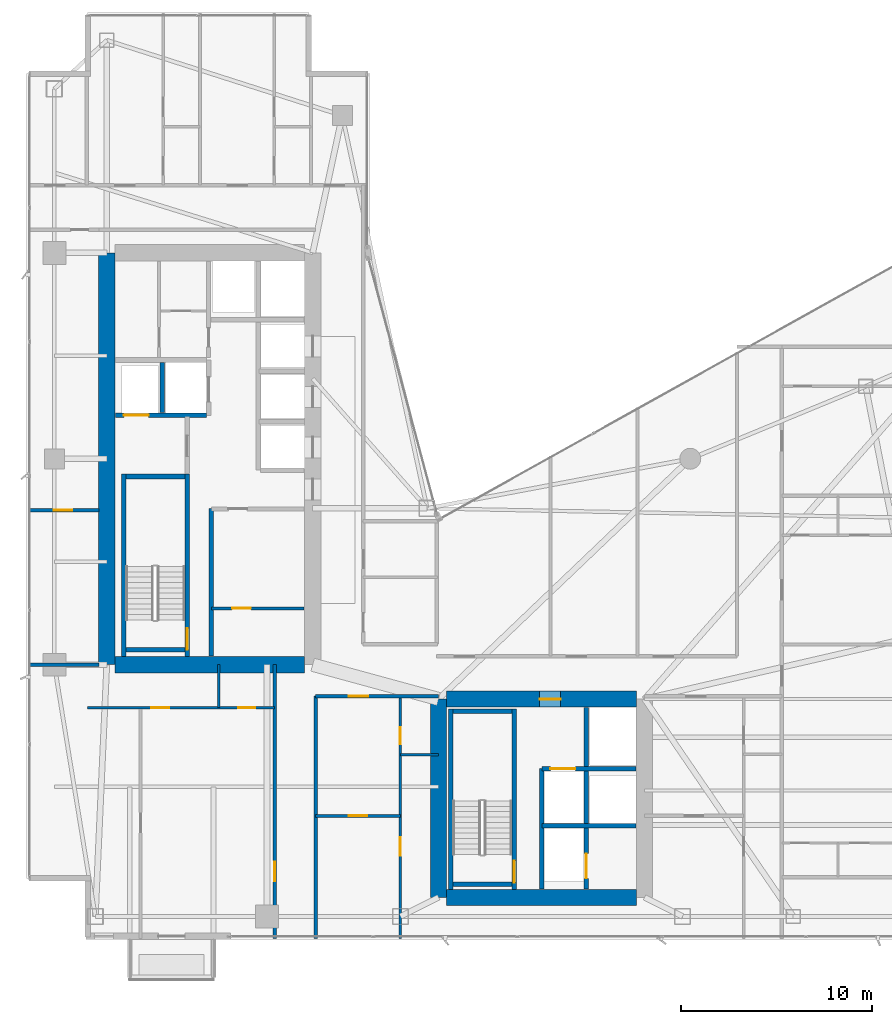
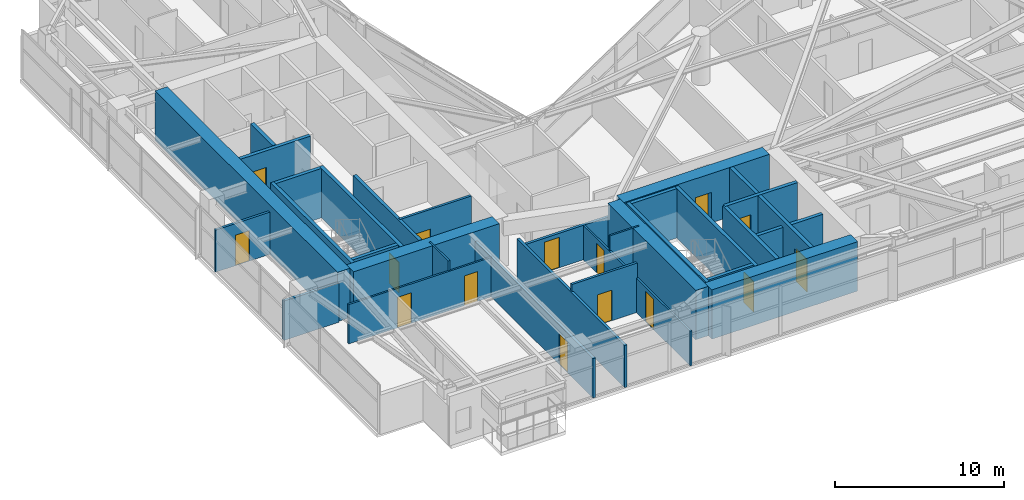
# One storey, part 22 of 28: 31 walls, 15 doors, 15 openings.
"""IFC4 building model written with IfcOpenShell, lengths in metres."""

import ifcopenshell
import ifcopenshell.guid

model = None  # the IFC model being written
_history = None  # IfcOwnerHistory: only IFC2X3 demands one
_inside = {}  # id of a spatial element -> (the spatial element, [elements in it])
_under = {}  # id of a project, library or spatial element -> (it, [spatial elements below it])
_declared = {}  # id of a project -> (the project, [libraries it declares])
_typed = {}  # id of a type object -> (the type object, [elements of that type])
_made_of = {}  # id of a material, layer set ... -> (it, [elements and type objects made of it])


def new_model(schema):
    """Start an empty IFC model of exactly this schema.

    Asked for "IFC4X3", IfcOpenShell would pick the latest addendum, in which some entities
    have other attributes; the version numbers below select the first issue.
    IFC2X3 requires an IfcOwnerHistory on every rooted entity: one is made here for all.
    """
    global model, _history
    if schema == "IFC4X3":
        model = ifcopenshell.file(schema_version=(4, 3, 0, 0))
    else:
        model = ifcopenshell.file(schema=schema)
    _inside.clear()
    _under.clear()
    _declared.clear()
    _typed.clear()
    _made_of.clear()
    _history = None
    if model.schema == "IFC2X3":
        org = make("IfcOrganization", Name="unknown")
        user = make(
            "IfcPersonAndOrganization",
            ThePerson=make("IfcPerson", FamilyName="unknown"),
            TheOrganization=org,
        )
        app = make(
            "IfcApplication",
            ApplicationDeveloper=org,
            Version="unknown",
            ApplicationFullName="unknown",
            ApplicationIdentifier="unknown",
        )
        _history = make(
            "IfcOwnerHistory",
            OwningUser=user,
            OwningApplication=app,
            ChangeAction="ADDED",
            CreationDate=0,
        )
    return model


def make(cls, **values):
    """One entity of the class cls with the attributes given. An attribute that is None is left unset."""
    return model.create_entity(
        cls, **{name: value for name, value in values.items() if value is not None}
    )


def rooted(cls, **values):
    """An entity with a GlobalId (a new one), such as an element, a storey or a relation."""
    return make(cls, GlobalId=ifcopenshell.guid.new(), OwnerHistory=_history, **values)


def si_unit(unit_type, name, prefix=None):
    """IfcSIUnit, for example si_unit("LENGTHUNIT", "METRE", prefix="MILLI")."""
    return make("IfcSIUnit", UnitType=unit_type, Prefix=prefix, Name=name)


def assignment(units):
    """IfcUnitAssignment: the units of a project."""
    return None if units is None else make("IfcUnitAssignment", Units=units)


def point(xyz):
    """IfcCartesianPoint."""
    return None if xyz is None else make("IfcCartesianPoint", Coordinates=xyz)


def direction(xyz):
    """IfcDirection."""
    return None if xyz is None else make("IfcDirection", DirectionRatios=xyz)


def frame(location, z_axis=None, x_axis=None):
    """IfcAxis2Placement3D, a coordinate frame: its origin and axes. An axis left out is left unset."""
    return make(
        "IfcAxis2Placement3D",
        Location=point(location),
        Axis=direction(z_axis),
        RefDirection=direction(x_axis),
    )


def frame_2d(location, x_axis=None):
    """IfcAxis2Placement2D, a coordinate frame in the plane: its origin and x axis."""
    return make(
        "IfcAxis2Placement2D", Location=point(location), RefDirection=direction(x_axis)
    )


def origin():
    """The frame at (0, 0, 0) with its axes left unset."""
    return frame((0.0, 0.0, 0.0))


def place(relative_to, where):
    """IfcLocalPlacement: puts the frame where relative to a parent placement (None: the world)."""
    return make(
        "IfcLocalPlacement", PlacementRelTo=relative_to, RelativePlacement=where
    )


def context(
    kind, dimensions, precision=None, world=None, true_north=None, identifier=None
):
    """IfcGeometricRepresentationContext, for example the 3D "Model" context."""
    return make(
        "IfcGeometricRepresentationContext",
        ContextIdentifier=identifier,
        ContextType=kind,
        CoordinateSpaceDimension=dimensions,
        Precision=precision,
        WorldCoordinateSystem=world,
        TrueNorth=true_north,
    )


def subcontext(parent, identifier, kind, view, scale=None):
    """IfcGeometricRepresentationSubContext, for example "Body" below "Model"."""
    return make(
        "IfcGeometricRepresentationSubContext",
        ContextIdentifier=identifier,
        ContextType=kind,
        ParentContext=parent,
        TargetScale=scale,
        TargetView=view,
    )


def project(units=None, contexts=None):
    """IfcProject with its units and contexts."""
    return rooted(
        "IfcProject",
        Name="project",
        RepresentationContexts=contexts,
        UnitsInContext=assignment(units),
    )


def spatial(cls, under=None, at=None, **own):
    """A site, building, storey or space (cls), placed at a placement, below another one or the project."""
    s = rooted(cls, ObjectPlacement=at, **own)
    if under is not None:
        _under.setdefault(under.id(), (under, []))[1].append(s)
    return s


def profile(cls, at=None, kind="AREA", **sizes):
    """A parametric profile (cls). Its sizes go by their IFC names, for example OverallWidth=200.0."""
    return make(cls, ProfileType=kind, Position=at, **sizes)


def rectangle(**sizes):
    """IfcRectangleProfileDef."""
    return profile("IfcRectangleProfileDef", **sizes)


def extrude(swept, where, along, depth):
    """IfcExtrudedAreaSolid: the profile swept, set in the frame where, extruded along a direction by depth."""
    return make(
        "IfcExtrudedAreaSolid",
        SweptArea=swept,
        Position=where,
        ExtrudedDirection=direction(along),
        Depth=depth,
    )


def shape(context_of_items, identifier, shape_type, items):
    """IfcShapeRepresentation: the items that make up one representation, for example the "Body"."""
    return make(
        "IfcShapeRepresentation",
        ContextOfItems=context_of_items,
        RepresentationIdentifier=identifier,
        RepresentationType=shape_type,
        Items=items,
    )


def material(Name=None, Category=None):
    """IfcMaterial."""
    return make("IfcMaterial", Name=Name, Category=Category)


def layer(
    of_material, thickness, ventilated=None, Name=None, Category=None, Priority=None
):
    """IfcMaterialLayer: one layer of a wall or slab, of a material (None: an air gap)."""
    return make(
        "IfcMaterialLayer",
        Material=of_material,
        LayerThickness=thickness,
        IsVentilated=ventilated,
        Name=Name,
        Category=Category,
        Priority=Priority,
    )


def layer_set(layers, Name=None):
    """IfcMaterialLayerSet."""
    return make("IfcMaterialLayerSet", MaterialLayers=layers, LayerSetName=Name)


def made_of(thing, what):
    """Note that an element or type object is made of a material, layer set ...; save() writes the relation."""
    if what is not None:
        _made_of.setdefault(what.id(), (what, []))[1].append(thing)
    return thing


def type_object(cls, material=None, **own):
    """A type object (cls), such as IfcWallType, which elements share."""
    return made_of(rooted(cls, **own), material)


def element(
    cls,
    number,
    at=None,
    inside=None,
    cuts=None,
    type_object=None,
    material=None,
    context=None,
    identifier="Body",
    shape_type=None,
    held_by="IfcProductDefinitionShape",
    body=None,
    shapes=None,
    **own,
):
    """One element of the class cls, such as IfcWall. Its Tag is "e" and its number.

    at: its placement. inside: the storey or other place that contains it. cuts: it is an
    opening in that element (IfcRelVoidsElement). A single representation is given by context,
    identifier, shape_type and body (its items); several are given by shapes. held_by: the class
    of the entity that holds the representations. save() writes the other relations.
    """
    e = rooted(cls, Tag="e%d" % number, ObjectPlacement=at, **own)
    if body is not None:
        shapes = [shape(context, identifier, shape_type, body)]
    if shapes is not None:
        e.Representation = make(held_by, Representations=shapes)
    if inside is not None:
        _inside.setdefault(inside.id(), (inside, []))[1].append(e)
    if cuts is not None:
        rooted(
            "IfcRelVoidsElement", RelatingBuildingElement=cuts, RelatedOpeningElement=e
        )
    if type_object is not None:
        _typed.setdefault(type_object.id(), (type_object, []))[1].append(e)
    return made_of(e, material)


def fill(opening, filler):
    """IfcRelFillsElement: the door or window that sits in an opening."""
    return rooted(
        "IfcRelFillsElement",
        RelatingOpeningElement=opening,
        RelatedBuildingElement=filler,
    )


def aggregate(whole, parts):
    """IfcRelAggregates: a whole, such as a stair, and the parts it consists of."""
    return rooted("IfcRelAggregates", RelatingObject=whole, RelatedObjects=parts)


def save(model, path):
    """Write the relations noted so far, then the file.

    IfcRelAggregates (storeys below a building ...), IfcRelContainedInSpatialStructure (elements
    in a storey), IfcRelDefinesByType, IfcRelAssociatesMaterial and IfcRelDeclares: one each for
    every whole, place, type object, material and project.
    """
    for whole, parts in _under.values():
        aggregate(whole, parts)
    for where, things in _inside.values():
        rooted(
            "IfcRelContainedInSpatialStructure",
            RelatedElements=things,
            RelatingStructure=where,
        )
    for kind, things in _typed.values():
        rooted("IfcRelDefinesByType", RelatedObjects=things, RelatingType=kind)
    for what, things in _made_of.values():
        rooted("IfcRelAssociatesMaterial", RelatedObjects=things, RelatingMaterial=what)
    for by, libraries in _declared.values():
        rooted("IfcRelDeclares", RelatingContext=by, RelatedDefinitions=libraries)
    model.write(path)


model = new_model("IFC4")

# Units and contexts
model_context = context("Model", 3, precision=1e-05, world=origin(), true_north=direction((0.0, 1.0)))
body_context = subcontext(model_context, "Body", "Model", "MODEL_VIEW")
ifc_project = project(units=[si_unit("LENGTHUNIT", "METRE"), si_unit("AREAUNIT", "SQUARE_METRE"), si_unit("VOLUMEUNIT", "CUBIC_METRE"), si_unit("PLANEANGLEUNIT", "RADIAN"), si_unit("MASSUNIT", "GRAM", prefix="KILO")], contexts=[model_context])

# Site, building, storey
site_placement = place(None, origin())
site = spatial("IfcSite", under=ifc_project, at=site_placement, CompositionType="ELEMENT")
building_placement = place(site_placement, origin())
building = spatial("IfcBuilding", under=site, at=building_placement, Name="Calvorn Quay Hotel", CompositionType="ELEMENT")
storey_placement = place(building_placement, frame((0.0, 0.0, 116.39990234375)))
storey = spatial("IfcBuildingStorey", under=building, at=storey_placement, Name="L28", CompositionType="ELEMENT", Elevation=116.39990234375)

# Walls
ifc_material_1 = material(Name="Concrete C50", Category="concrete")
ifc_layer_1 = layer(ifc_material_1, 0.85009765625)
ifc_layer_set_1 = layer_set([ifc_layer_1], Name="WL-CORE-850")
wall_type_1 = type_object("IfcWallType", Name="WL-CORE-850", PredefinedType="SHEAR", material=ifc_layer_set_1)
wall_1_placement = place(storey_placement, frame((4.199951171875, 16.800048828125, 0.0), z_axis=(0.0, 0.0, 1.0), x_axis=(0.0, 1.0, 0.0)))
element("IfcWall", 1, at=wall_1_placement, inside=storey, type_object=wall_type_1, Name="West Core Shear Wall W (L28)", PredefinedType="SHEAR", context=body_context, shape_type="SweptSolid", body=[
    extrude(rectangle(XDim=21.599853515625, YDim=0.85009765625, at=frame_2d((10.7998046875, 0.0))), origin(), (0.0, 0.0, 1.0), 3.56005859375),
])
wall_2_placement = place(storey_placement, frame((4.625, 16.800048828125, 0.0), z_axis=(0.0, 0.0, 1.0), x_axis=(1.0, 0.0, 0.0)))
element("IfcWall", 2, at=wall_2_placement, inside=storey, type_object=wall_type_1, Name="West Core Shear Wall S (L28)", PredefinedType="SHEAR", context=body_context, shape_type="SweptSolid", body=[
    extrude(rectangle(XDim=9.949951171875, YDim=0.85009765625, at=frame_2d((4.97509765625, 0.0))), origin(), (0.0, 0.0, 1.0), 3.56005859375),
])
wall_3_placement = place(storey_placement, frame((21.60009765625, 4.60009765625, 0.0), z_axis=(0.0, 0.0, 1.0), x_axis=(0.0, 1.0, 0.0)))
element("IfcWall", 3, at=wall_3_placement, inside=storey, type_object=wall_type_1, Name="East Core Shear Wall W (L28)", PredefinedType="SHEAR", context=body_context, shape_type="SweptSolid", body=[
    extrude(rectangle(XDim=10.39990234375, YDim=0.85009765625, at=frame_2d((5.199951171875, 0.0))), origin(), (0.0, 0.0, 1.0), 3.56005859375),
])

# Wall, opening, door
wall_4_placement = place(storey_placement, frame((22.02490234375, 15.0, 0.0), z_axis=(0.0, 0.0, 1.0), x_axis=(1.0, 0.0, 0.0)))
wall_4 = element("IfcWall", 4, at=wall_4_placement, inside=storey, type_object=wall_type_1, Name="East Core Shear Wall N (L28)", PredefinedType="SHEAR", context=body_context, shape_type="SweptSolid", body=[
    extrude(rectangle(XDim=9.9501953125, YDim=0.85009765625, at=frame_2d((4.97509765625, 0.0))), origin(), (0.0, 0.0, 1.0), 3.56005859375),
])
opening_1_placement = place(wall_4_placement, frame((4.8798828125, 0.0, 0.0)))
opening_1 = element("IfcOpeningElement", 5, at=opening_1_placement, cuts=wall_4, Name="Opening D-L28-FLE", PredefinedType="OPENING", context=body_context, shape_type="SweptSolid", body=[
    extrude(rectangle(XDim=1.10009765625, YDim=2.199951171875, at=frame_2d((0.550048828125, 1.10009765625))), frame((0.0, 0.43505859375, 0.0), z_axis=(0.0, -1.0, 0.0), x_axis=(1.0, 0.0, 0.0)), (0.0, 0.0, 1.0), 0.8701171875),
])
ifc_material_2 = material(Name="Smoke-Sealed Steel Class A Fire Door", Category="steel")
door_type_1 = type_object("IfcDoorType", Name="DR-FFLOBBY-1100", OperationType="NOTDEFINED", PredefinedType="DOOR", material=ifc_material_2)
door_1_placement = place(opening_1_placement, origin())
door_1 = element("IfcDoor", 6, at=door_1_placement, inside=storey, type_object=door_type_1, Name="East Firefighting Lobby Fire Door (L28)", OperationType="SINGLE_SWING_RIGHT", OverallHeight=2.199951171875, OverallWidth=1.10009765625, PredefinedType="DOOR", context=body_context, shape_type="SweptSolid", body=[
    extrude(rectangle(XDim=1.10009765625, YDim=2.199951171875, at=frame_2d((0.550048828125, 1.10009765625))), frame((0.0, 0.02490234375, 0.0), z_axis=(0.0, -1.0, 0.0), x_axis=(1.0, 0.0, 0.0)), (0.0, 0.0, 1.0), 0.050048828125),
])
fill(opening_1, door_1)

# Walls
wall_5_placement = place(storey_placement, frame((22.02490234375, 4.60009765625, 0.0), z_axis=(0.0, 0.0, 1.0), x_axis=(1.0, 0.0, 0.0)))
element("IfcWall", 7, at=wall_5_placement, inside=storey, type_object=wall_type_1, Name="East Core Shear Wall S (L28)", PredefinedType="SHEAR", context=body_context, shape_type="SweptSolid", body=[
    extrude(rectangle(XDim=9.9501953125, YDim=0.85009765625, at=frame_2d((4.97509765625, 0.0))), origin(), (0.0, 0.0, 1.0), 3.56005859375),
])
ifc_material_3 = material(Name="Acoustic Fireboard Steel-Stud Partition", Category="steel")
ifc_layer_2 = layer(ifc_material_3, 0.179931640625)
ifc_layer_set_2 = layer_set([ifc_layer_2], Name="WL-CORR-FIRE-180")
wall_type_2 = type_object("IfcWallType", Name="WL-CORR-FIRE-180", PredefinedType="PARTITIONING", material=ifc_layer_set_2)
wall_6_placement = place(storey_placement, frame((0.080078125, 16.800048828125, 0.0), z_axis=(0.0, 0.0, 1.0), x_axis=(1.0, 0.0, 0.0)))
element("IfcWall", 8, at=wall_6_placement, inside=storey, type_object=wall_type_2, Name="Partition Wall L28-WL-WBAY-S-WALL", PredefinedType="PARTITIONING", context=body_context, shape_type="SweptSolid", body=[
    extrude(rectangle(XDim=3.724853515625, YDim=0.179931640625, at=frame_2d((1.8623046875, 0.0))), origin(), (0.0, 0.0, 1.0), 2.840087890625),
])

# Wall, opening, door
wall_7_placement = place(storey_placement, frame((13.0, 2.43994140625, 0.0), z_axis=(0.0, 0.0, 1.0), x_axis=(0.0, 1.0, 0.0)))
wall_7 = element("IfcWall", 9, at=wall_7_placement, inside=storey, type_object=wall_type_2, Name="Partition Wall L28-WL-CORR-SW-LEG-W", PredefinedType="PARTITIONING", context=body_context, shape_type="SweptSolid", body=[
    extrude(rectangle(XDim=14.360107421875, YDim=0.179931640625, at=frame_2d((7.18017578125, 0.0))), origin(), (0.0, 0.0, 1.0), 2.840087890625),
])
opening_2_placement = place(wall_7_placement, frame((3.010009765625, 0.0, 0.0)))
opening_2 = element("IfcOpeningElement", 10, at=opening_2_placement, cuts=wall_7, Name="Opening D-L28-U01", PredefinedType="OPENING", context=body_context, shape_type="SweptSolid", body=[
    extrude(rectangle(XDim=1.02001953125, YDim=2.199951171875, at=frame_2d((0.510009765625, 1.10009765625))), frame((0.0, 0.099853515625, 0.0), z_axis=(0.0, -1.0, 0.0), x_axis=(1.0, 0.0, 0.0)), (0.0, 0.0, 1.0), 0.199951171875),
])
ifc_material_4 = material(Name="Solid-Core Walnut Veneer Hotel Fire Door")
door_type_2 = type_object("IfcDoorType", Name="DR-GUEST-ENTRY-1020", OperationType="NOTDEFINED", PredefinedType="DOOR", material=ifc_material_4)
door_2_placement = place(opening_2_placement, origin())
door_2 = element("IfcDoor", 11, at=door_2_placement, inside=storey, type_object=door_type_2, Name="South-West Unit Door U01 (L28)", OperationType="SINGLE_SWING_LEFT", OverallHeight=2.199951171875, OverallWidth=1.02001953125, PredefinedType="DOOR", context=body_context, shape_type="SweptSolid", body=[
    extrude(rectangle(XDim=1.02001953125, YDim=2.199951171875, at=frame_2d((0.510009765625, 1.10009765625))), frame((0.0, 0.02490234375, 0.0), z_axis=(0.0, -1.0, 0.0), x_axis=(1.0, 0.0, 0.0)), (0.0, 0.0, 1.0), 0.050048828125),
])
fill(opening_2, door_2)

# Wall
wall_8_placement = place(storey_placement, frame((15.14990234375, 2.43994140625, 0.0), z_axis=(0.0, 0.0, 1.0), x_axis=(0.0, 1.0, 0.0)))
element("IfcWall", 12, at=wall_8_placement, inside=storey, type_object=wall_type_2, Name="Partition Wall L28-WL-CORR-SW-W", PredefinedType="PARTITIONING", context=body_context, shape_type="SweptSolid", body=[
    extrude(rectangle(XDim=12.7099609375, YDim=0.179931640625, at=frame_2d((6.35498046875, 0.0))), origin(), (0.0, 0.0, 1.0), 3.0400390625),
])

# Wall, opening, door
wall_9_placement = place(storey_placement, frame((15.14990234375, 15.14990234375, 0.0), z_axis=(0.0, 0.0, 1.0), x_axis=(1.0, 0.0, 0.0)))
wall_9 = element("IfcWall", 13, at=wall_9_placement, inside=storey, type_object=wall_type_2, Name="Partition Wall L28-WL-SC-CORR-S", PredefinedType="PARTITIONING", context=body_context, shape_type="SweptSolid", body=[
    extrude(rectangle(XDim=6.4501953125, YDim=0.179931640625, at=frame_2d((3.22509765625, 0.0))), origin(), (0.0, 0.0, 1.0), 2.489990234375),
])
opening_3_placement = place(wall_9_placement, frame((1.739990234375, 0.0, 0.0)))
opening_3 = element("IfcOpeningElement", 14, at=opening_3_placement, cuts=wall_9, Name="Opening D-L28-U02", PredefinedType="OPENING", context=body_context, shape_type="SweptSolid", body=[
    extrude(rectangle(XDim=1.02001953125, YDim=2.199951171875, at=frame_2d((0.510009765625, 1.10009765625))), frame((0.0, 0.099853515625, 0.0), z_axis=(0.0, -1.0, 0.0), x_axis=(1.0, 0.0, 0.0)), (0.0, 0.0, 1.0), 0.199951171875),
])
door_3_placement = place(opening_3_placement, origin())
door_3 = element("IfcDoor", 15, at=door_3_placement, inside=storey, type_object=door_type_2, Name="Harbour Central Unit Door (L28)", OperationType="SINGLE_SWING_LEFT", OverallHeight=2.199951171875, OverallWidth=1.02001953125, PredefinedType="DOOR", context=body_context, shape_type="SweptSolid", body=[
    extrude(rectangle(XDim=1.02001953125, YDim=2.199951171875, at=frame_2d((0.510009765625, 1.10009765625))), frame((0.0, 0.02490234375, 0.0), z_axis=(0.0, -1.0, 0.0), x_axis=(1.0, 0.0, 0.0)), (0.0, 0.0, 1.0), 0.050048828125),
])
fill(opening_3, door_3)

# Wall
ifc_material_5 = material(Name="Moisture-Resistant Tile-Backed Partition")
ifc_layer_3 = layer(ifc_material_5, 0.125)
ifc_layer_set_3 = layer_set([ifc_layer_3], Name="WL-ENSUITE-125")
wall_type_3 = type_object("IfcWallType", Name="WL-ENSUITE-125", PredefinedType="PARTITIONING", material=ifc_layer_set_3)
wall_10_placement = place(storey_placement, frame((10.080078125, 14.550048828125, 0.0), z_axis=(0.0, 0.0, 1.0), x_axis=(0.0, 1.0, 0.0)))
element("IfcWall", 16, at=wall_10_placement, inside=storey, type_object=wall_type_3, Name="Partition Wall L28-WL-U01-BDV", PredefinedType="PARTITIONING", context=body_context, shape_type="SweptSolid", body=[
    extrude(rectangle(XDim=2.25, YDim=0.125, at=frame_2d((1.125, 0.0))), origin(), (0.0, 0.0, 1.0), 3.56005859375),
])

# Wall, openings, doors
wall_11_placement = place(storey_placement, frame((3.199951171875, 14.550048828125, 0.0), z_axis=(0.0, 0.0, 1.0), x_axis=(1.0, 0.0, 0.0)))
wall_11 = element("IfcWall", 17, at=wall_11_placement, inside=storey, type_object=wall_type_3, Name="Partition Wall L28-WL-U01-BH", PredefinedType="PARTITIONING", context=body_context, shape_type="SweptSolid", body=[
    extrude(rectangle(XDim=9.800048828125, YDim=0.125, at=frame_2d((4.89990234375, 0.0))), origin(), (0.0, 0.0, 1.0), 2.840087890625),
])
opening_4_placement = place(wall_11_placement, frame((3.320068359375, 0.0, 0.0)))
opening_4 = element("IfcOpeningElement", 18, at=opening_4_placement, cuts=wall_11, Name="Opening D-L28-S01", PredefinedType="OPENING", context=body_context, shape_type="SweptSolid", body=[
    extrude(rectangle(XDim=0.9599609375, YDim=2.199951171875, at=frame_2d((0.47998046875, 1.10009765625))), frame((0.0, 0.072509765625, 0.0), z_axis=(0.0, -1.0, 0.0), x_axis=(1.0, 0.0, 0.0)), (0.0, 0.0, 1.0), 0.14501953125),
])
opening_5_placement = place(wall_11_placement, frame((7.889892578125, 0.0, 0.0)))
opening_5 = element("IfcOpeningElement", 19, at=opening_5_placement, cuts=wall_11, Name="Opening D-L28-E01", PredefinedType="OPENING", context=body_context, shape_type="SweptSolid", body=[
    extrude(rectangle(XDim=0.89990234375, YDim=2.14990234375, at=frame_2d((0.449951171875, 1.074951171875))), frame((0.0, 0.072509765625, 0.0), z_axis=(0.0, -1.0, 0.0), x_axis=(1.0, 0.0, 0.0)), (0.0, 0.0, 1.0), 0.14501953125),
])
ifc_material_6 = material(Name="Moisture-Sealed Timber En-Suite Door", Category="wood")
door_type_3 = type_object("IfcDoorType", Name="DR-ENSUITE-900", OperationType="NOTDEFINED", PredefinedType="DOOR", material=ifc_material_6)
door_4_placement = place(opening_5_placement, origin())
door_4 = element("IfcDoor", 20, at=door_4_placement, inside=storey, type_object=door_type_3, Name="En-Suite Door 01", OperationType="SINGLE_SWING_RIGHT", OverallHeight=2.14990234375, OverallWidth=0.89990234375, PredefinedType="DOOR", context=body_context, shape_type="SweptSolid", body=[
    extrude(rectangle(XDim=0.89990234375, YDim=2.14990234375, at=frame_2d((0.449951171875, 1.074951171875))), frame((0.0, 0.02490234375, 0.0), z_axis=(0.0, -1.0, 0.0), x_axis=(1.0, 0.0, 0.0)), (0.0, 0.0, 1.0), 0.050048828125),
])
fill(opening_5, door_4)
ifc_material_7 = material(Name="Solid Timber Internal Suite Door", Category="wood")
door_type_4 = type_object("IfcDoorType", Name="DR-SUITE-INT-960", OperationType="NOTDEFINED", PredefinedType="DOOR", material=ifc_material_7)
door_5_placement = place(opening_4_placement, origin())
door_5 = element("IfcDoor", 21, at=door_5_placement, inside=storey, type_object=door_type_4, Name="Executive Study Door 01", OperationType="SINGLE_SWING_LEFT", OverallHeight=2.199951171875, OverallWidth=0.9599609375, PredefinedType="DOOR", context=body_context, shape_type="SweptSolid", body=[
    extrude(rectangle(XDim=0.9599609375, YDim=2.199951171875, at=frame_2d((0.47998046875, 1.10009765625))), frame((0.0, 0.02490234375, 0.0), z_axis=(0.0, -1.0, 0.0), x_axis=(1.0, 0.0, 0.0)), (0.0, 0.0, 1.0), 0.050048828125),
])
fill(opening_4, door_5)

# Wall
wall_12_placement = place(storey_placement, frame((19.60009765625, 12.070068359375, 0.0), z_axis=(0.0, 0.0, 1.0), x_axis=(1.0, 0.0, 0.0)))
element("IfcWall", 22, at=wall_12_placement, inside=storey, type_object=wall_type_3, Name="Partition Wall L28-WL-U02-BDV", PredefinedType="PARTITIONING", context=body_context, shape_type="SweptSolid", body=[
    extrude(rectangle(XDim=2.0, YDim=0.125, at=frame_2d((1.0, 0.0))), origin(), (0.0, 0.0, 1.0), 3.56005859375),
])

# Wall, openings, doors
wall_13_placement = place(storey_placement, frame((19.60009765625, 2.43994140625, 0.0), z_axis=(0.0, 0.0, 1.0), x_axis=(0.0, 1.0, 0.0)))
wall_13 = element("IfcWall", 23, at=wall_13_placement, inside=storey, type_object=wall_type_3, Name="Partition Wall L28-WL-U02-BV", PredefinedType="PARTITIONING", context=body_context, shape_type="SweptSolid", body=[
    extrude(rectangle(XDim=12.7099609375, YDim=0.125, at=frame_2d((6.35498046875, 0.0))), origin(), (0.0, 0.0, 1.0), 2.489990234375),
])
opening_6_placement = place(wall_13_placement, frame((4.340087890625, 0.0, 0.0)))
opening_6 = element("IfcOpeningElement", 24, at=opening_6_placement, cuts=wall_13, Name="Opening D-L28-S02", PredefinedType="OPENING", context=body_context, shape_type="SweptSolid", body=[
    extrude(rectangle(XDim=0.9599609375, YDim=2.199951171875, at=frame_2d((0.47998046875, 1.10009765625))), frame((0.0, 0.072509765625, 0.0), z_axis=(0.0, -1.0, 0.0), x_axis=(1.0, 0.0, 0.0)), (0.0, 0.0, 1.0), 0.14501953125),
])
opening_7_placement = place(wall_13_placement, frame((10.179931640625, 0.0, 0.0)))
opening_7 = element("IfcOpeningElement", 25, at=opening_7_placement, cuts=wall_13, Name="Opening D-L28-E02", PredefinedType="OPENING", context=body_context, shape_type="SweptSolid", body=[
    extrude(rectangle(XDim=0.89990234375, YDim=2.14990234375, at=frame_2d((0.449951171875, 1.074951171875))), frame((0.0, 0.072509765625, 0.0), z_axis=(0.0, -1.0, 0.0), x_axis=(1.0, 0.0, 0.0)), (0.0, 0.0, 1.0), 0.14501953125),
])
door_6_placement = place(opening_7_placement, origin())
door_6 = element("IfcDoor", 26, at=door_6_placement, inside=storey, type_object=door_type_3, Name="En-Suite Door 02", OperationType="SINGLE_SWING_RIGHT", OverallHeight=2.14990234375, OverallWidth=0.89990234375, PredefinedType="DOOR", context=body_context, shape_type="SweptSolid", body=[
    extrude(rectangle(XDim=0.89990234375, YDim=2.14990234375, at=frame_2d((0.449951171875, 1.074951171875))), frame((0.0, 0.02490234375, 0.0), z_axis=(0.0, -1.0, 0.0), x_axis=(1.0, 0.0, 0.0)), (0.0, 0.0, 1.0), 0.050048828125),
])
fill(opening_7, door_6)
door_7_placement = place(opening_6_placement, origin())
door_7 = element("IfcDoor", 27, at=door_7_placement, inside=storey, type_object=door_type_4, Name="Executive Study Door 02", OperationType="SINGLE_SWING_LEFT", OverallHeight=2.199951171875, OverallWidth=0.9599609375, PredefinedType="DOOR", context=body_context, shape_type="SweptSolid", body=[
    extrude(rectangle(XDim=0.9599609375, YDim=2.199951171875, at=frame_2d((0.47998046875, 1.10009765625))), frame((0.0, 0.02490234375, 0.0), z_axis=(0.0, -1.0, 0.0), x_axis=(1.0, 0.0, 0.0)), (0.0, 0.0, 1.0), 0.050048828125),
])
fill(opening_6, door_7)

# Wall, opening, door
ifc_material_8 = material(Name="Double-Stud Acoustic Gypsum Partition")
ifc_layer_4 = layer(ifc_material_8, 0.159912109375)
ifc_layer_set_4 = layer_set([ifc_layer_4], Name="WL-INTERSUITE-160")
wall_type_4 = type_object("IfcWallType", Name="WL-INTERSUITE-160", PredefinedType="PARTITIONING", material=ifc_layer_set_4)
wall_14_placement = place(storey_placement, frame((9.679931640625, 19.75, 0.0), z_axis=(0.0, 0.0, 1.0), x_axis=(1.0, 0.0, 0.0)))
wall_14 = element("IfcWall", 28, at=wall_14_placement, inside=storey, type_object=wall_type_4, Name="Partition Wall L28-WL-CWW-FR-SPLIT", PredefinedType="PARTITIONING", context=body_context, shape_type="SweptSolid", body=[
    extrude(rectangle(XDim=4.875, YDim=0.159912109375, at=frame_2d((2.4375, 0.0))), origin(), (0.0, 0.0, 1.0), 3.56005859375),
])
opening_8_placement = place(wall_14_placement, frame((1.10009765625, 0.0, 0.0)))
opening_8 = element("IfcOpeningElement", 29, at=opening_8_placement, cuts=wall_14, Name="Opening D-L28-FRL1", PredefinedType="OPENING", context=body_context, shape_type="SweptSolid", body=[
    extrude(rectangle(XDim=0.97998046875, YDim=2.14990234375, at=frame_2d((0.489990234375, 1.074951171875))), frame((0.0, 0.08984375, 0.0), z_axis=(0.0, -1.0, 0.0), x_axis=(1.0, 0.0, 0.0)), (0.0, 0.0, 1.0), 0.179931640625),
])
ifc_material_9 = material(Name="Painted Steel Housekeeping/Riser Fire Door", Category="steel")
door_type_5 = type_object("IfcDoorType", Name="DR-SERVICE-980", OperationType="NOTDEFINED", PredefinedType="DOOR", material=ifc_material_9)
door_8_placement = place(opening_8_placement, origin())
door_8 = element("IfcDoor", 30, at=door_8_placement, inside=storey, type_object=door_type_5, Name="Linen Store Room Door (L28)", OperationType="SINGLE_SWING_LEFT", OverallHeight=2.14990234375, OverallWidth=0.97998046875, PredefinedType="DOOR", context=body_context, shape_type="SweptSolid", body=[
    extrude(rectangle(XDim=0.97998046875, YDim=2.14990234375, at=frame_2d((0.489990234375, 1.074951171875))), frame((0.0, 0.02490234375, 0.0), z_axis=(0.0, -1.0, 0.0), x_axis=(1.0, 0.0, 0.0)), (0.0, 0.0, 1.0), 0.050048828125),
])
fill(opening_8, door_8)

wall_15_placement = place(storey_placement, frame((0.080078125, 24.89990234375, 0.0), z_axis=(0.0, 0.0, 1.0), x_axis=(1.0, 0.0, 0.0)))
wall_15 = element("IfcWall", 31, at=wall_15_placement, inside=storey, type_object=wall_type_4, Name="Partition Wall L28-WL-WBAY-DIV", PredefinedType="PARTITIONING", context=body_context, shape_type="SweptSolid", body=[
    extrude(rectangle(XDim=3.724853515625, YDim=0.159912109375, at=frame_2d((1.8623046875, 0.0))), origin(), (0.0, 0.0, 1.0), 3.0400390625),
])
opening_9_placement = place(wall_15_placement, frame((1.35009765625, 0.0, 0.0)))
opening_9 = element("IfcOpeningElement", 32, at=opening_9_placement, cuts=wall_15, Name="Opening D-L28-WBD", PredefinedType="OPENING", context=body_context, shape_type="SweptSolid", body=[
    extrude(rectangle(XDim=0.9599609375, YDim=2.199951171875, at=frame_2d((0.47998046875, 1.10009765625))), frame((0.0, 0.08984375, 0.0), z_axis=(0.0, -1.0, 0.0), x_axis=(1.0, 0.0, 0.0)), (0.0, 0.0, 1.0), 0.179931640625),
])
door_9_placement = place(opening_9_placement, origin())
door_9 = element("IfcDoor", 33, at=door_9_placement, inside=storey, type_object=door_type_4, Name="West Bay Connecting Door (L28)", OperationType="SINGLE_SWING_LEFT", OverallHeight=2.199951171875, OverallWidth=0.9599609375, PredefinedType="DOOR", context=body_context, shape_type="SweptSolid", body=[
    extrude(rectangle(XDim=0.9599609375, YDim=2.199951171875, at=frame_2d((0.47998046875, 1.10009765625))), frame((0.0, 0.02490234375, 0.0), z_axis=(0.0, -1.0, 0.0), x_axis=(1.0, 0.0, 0.0)), (0.0, 0.0, 1.0), 0.050048828125),
])
fill(opening_9, door_9)

wall_16_placement = place(storey_placement, frame((15.14990234375, 8.8701171875, 0.0), z_axis=(0.0, 0.0, 1.0), x_axis=(1.0, 0.0, 0.0)))
wall_16 = element("IfcWall", 34, at=wall_16_placement, inside=storey, type_object=wall_type_4, Name="Partition Wall L28-WL-U02-MSP", PredefinedType="PARTITIONING", context=body_context, shape_type="SweptSolid", body=[
    extrude(rectangle(XDim=4.4501953125, YDim=0.159912109375, at=frame_2d((2.22509765625, 0.0))), origin(), (0.0, 0.0, 1.0), 3.56005859375),
])
opening_10_placement = place(wall_16_placement, frame((1.75, 0.0, 0.0)))
opening_10 = element("IfcOpeningElement", 35, at=opening_10_placement, cuts=wall_16, Name="Opening D-L28-M02", PredefinedType="OPENING", context=body_context, shape_type="SweptSolid", body=[
    extrude(rectangle(XDim=0.9599609375, YDim=2.199951171875, at=frame_2d((0.47998046875, 1.10009765625))), frame((0.0, 0.08984375, 0.0), z_axis=(0.0, -1.0, 0.0), x_axis=(1.0, 0.0, 0.0)), (0.0, 0.0, 1.0), 0.179931640625),
])
door_10_placement = place(opening_10_placement, origin())
door_10 = element("IfcDoor", 36, at=door_10_placement, inside=storey, type_object=door_type_4, Name="Suite Bedroom Door 02", OperationType="SINGLE_SWING_LEFT", OverallHeight=2.199951171875, OverallWidth=0.9599609375, PredefinedType="DOOR", context=body_context, shape_type="SweptSolid", body=[
    extrude(rectangle(XDim=0.9599609375, YDim=2.199951171875, at=frame_2d((0.47998046875, 1.10009765625))), frame((0.0, 0.02490234375, 0.0), z_axis=(0.0, -1.0, 0.0), x_axis=(1.0, 0.0, 0.0)), (0.0, 0.0, 1.0), 0.050048828125),
])
fill(opening_10, door_10)

# Walls
ifc_material_10 = material(Name="Autoclaved Aerated Masonry Block", Category="masonry")
ifc_layer_5 = layer(ifc_material_10, 0.219970703125)
ifc_layer_set_5 = layer_set([ifc_layer_5], Name="WL-LOBBY-FIRE-220")
wall_type_5 = type_object("IfcWallType", Name="WL-LOBBY-FIRE-220", PredefinedType="SOLIDWALL", material=ifc_layer_set_5)
wall_17_placement = place(storey_placement, frame((9.679931640625, 17.2451171875, 0.0), z_axis=(0.0, 0.0, 1.0), x_axis=(0.0, 1.0, 0.0)))
element("IfcWall", 37, at=wall_17_placement, inside=storey, type_object=wall_type_5, Name="Partition Wall L28-WL-CWW-STW-HALL-E", PredefinedType="SOLIDWALL", context=body_context, shape_type="SweptSolid", body=[
    extrude(rectangle(XDim=7.7548828125, YDim=0.219970703125, at=frame_2d((3.87744140625, 0.0))), origin(), (0.0, 0.0, 1.0), 3.56005859375),
])
ifc_material_11 = material(Name="Concrete C40", Category="concrete")
ifc_layer_6 = layer(ifc_material_11, 0.239990234375)
ifc_layer_set_6 = layer_set([ifc_layer_6], Name="WL-SHAFT-240")
wall_type_6 = type_object("IfcWallType", Name="WL-SHAFT-240", PredefinedType="SOLIDWALL", material=ifc_layer_set_6)
wall_18_placement = place(storey_placement, frame((5.080078125, 17.22509765625, 0.0), z_axis=(0.0, 0.0, 1.0), x_axis=(0.0, 1.0, 0.0)))
element("IfcWall", 38, at=wall_18_placement, inside=storey, type_object=wall_type_6, Name="Stair STW Shaft Wall W (L28)", PredefinedType="SOLIDWALL", context=body_context, shape_type="SweptSolid", body=[
    extrude(rectangle(XDim=9.56494140625, YDim=0.239990234375, at=frame_2d((4.782470703125, 0.0))), origin(), (0.0, 0.0, 1.0), 3.56005859375),
])

# Wall, opening, door
wall_19_placement = place(storey_placement, frame((8.419921875, 17.22509765625, 0.0), z_axis=(0.0, 0.0, 1.0), x_axis=(0.0, 1.0, 0.0)))
wall_19 = element("IfcWall", 39, at=wall_19_placement, inside=storey, type_object=wall_type_6, Name="Stair STW Shaft Wall E (L28)", PredefinedType="SOLIDWALL", context=body_context, shape_type="SweptSolid", body=[
    extrude(rectangle(XDim=9.56494140625, YDim=0.239990234375, at=frame_2d((4.782470703125, 0.0))), origin(), (0.0, 0.0, 1.0), 3.56005859375),
])
opening_11_placement = place(wall_19_placement, frame((0.35009765625, 0.0, 0.0)))
opening_11 = element("IfcOpeningElement", 40, at=opening_11_placement, cuts=wall_19, Name="Opening D-L28-STW", PredefinedType="OPENING", context=body_context, shape_type="SweptSolid", body=[
    extrude(rectangle(XDim=1.14990234375, YDim=2.199951171875, at=frame_2d((0.574951171875, 1.10009765625))), frame((0.0, 0.1298828125, 0.0), z_axis=(0.0, -1.0, 0.0), x_axis=(1.0, 0.0, 0.0)), (0.0, 0.0, 1.0), 0.260009765625),
])
ifc_material_12 = material(Name="Galvanised Steel Class A Fire Door", Category="steel")
door_type_6 = type_object("IfcDoorType", Name="DR-STAIR-SMOKE-1150", OperationType="NOTDEFINED", PredefinedType="DOOR", material=ifc_material_12)
door_11_placement = place(opening_11_placement, origin())
door_11 = element("IfcDoor", 41, at=door_11_placement, inside=storey, type_object=door_type_6, Name="Stair ST-W Fire Door (L28)", OperationType="SINGLE_SWING_LEFT", OverallHeight=2.199951171875, OverallWidth=1.14990234375, PredefinedType="DOOR", context=body_context, shape_type="SweptSolid", body=[
    extrude(rectangle(XDim=1.14990234375, YDim=2.199951171875, at=frame_2d((0.574951171875, 1.10009765625))), frame((0.0, 0.02490234375, 0.0), z_axis=(0.0, -1.0, 0.0), x_axis=(1.0, 0.0, 0.0)), (0.0, 0.0, 1.0), 0.050048828125),
])
fill(opening_11, door_11)

# Walls
for number, where, z_axis, x_axis, name in (
    (42, (5.199951171875, 17.580078125, 0.0), (0.0, 0.0, 1.0), (1.0, 0.0, 0.0), "Stair STW Shaft Wall S (L28)"),
    (43, (5.199951171875, 26.669921875, 0.0), (0.0, 0.0, 1.0), (1.0, 0.0, 0.0), "Stair STW Shaft Wall N (L28)"),
):
    element("IfcWall", number, at=place(storey_placement, frame(where, z_axis=z_axis, x_axis=x_axis)), inside=storey, type_object=wall_type_6, Name=name, PredefinedType="SOLIDWALL", context=body_context, shape_type="SweptSolid", body=[
        extrude(rectangle(XDim=3.10009765625, YDim=0.239990234375, at=frame_2d((1.550048828125, 0.0))), origin(), (0.0, 0.0, 1.0), 3.56005859375),
    ])
wall_20_placement = place(storey_placement, frame((22.22998046875, 5.02490234375, 0.0), z_axis=(0.0, 0.0, 1.0), x_axis=(0.0, 1.0, 0.0)))
element("IfcWall", 44, at=wall_20_placement, inside=storey, type_object=wall_type_6, Name="Stair STE Shaft Wall W (L28)", PredefinedType="SOLIDWALL", context=body_context, shape_type="SweptSolid", body=[
    extrude(rectangle(XDim=9.465087890625, YDim=0.239990234375, at=frame_2d((4.732421875, 0.0))), origin(), (0.0, 0.0, 1.0), 3.56005859375),
])

# Wall, opening, door
wall_21_placement = place(storey_placement, frame((25.570068359375, 5.02490234375, 0.0), z_axis=(0.0, 0.0, 1.0), x_axis=(0.0, 1.0, 0.0)))
wall_21 = element("IfcWall", 45, at=wall_21_placement, inside=storey, type_object=wall_type_6, Name="Stair STE Shaft Wall E (L28)", PredefinedType="SOLIDWALL", context=body_context, shape_type="SweptSolid", body=[
    extrude(rectangle(XDim=9.465087890625, YDim=0.239990234375, at=frame_2d((4.732421875, 0.0))), origin(), (0.0, 0.0, 1.0), 3.56005859375),
])
opening_12_placement = place(wall_21_placement, frame((0.35009765625, 0.0, 0.0)))
opening_12 = element("IfcOpeningElement", 46, at=opening_12_placement, cuts=wall_21, Name="Opening D-L28-STE", PredefinedType="OPENING", context=body_context, shape_type="SweptSolid", body=[
    extrude(rectangle(XDim=1.14990234375, YDim=2.199951171875, at=frame_2d((0.574951171875, 1.10009765625))), frame((0.0, 0.1298828125, 0.0), z_axis=(0.0, -1.0, 0.0), x_axis=(1.0, 0.0, 0.0)), (0.0, 0.0, 1.0), 0.260009765625),
])
door_12_placement = place(opening_12_placement, origin())
door_12 = element("IfcDoor", 47, at=door_12_placement, inside=storey, type_object=door_type_6, Name="Stair ST-E Fire Door (L28)", OperationType="SINGLE_SWING_RIGHT", OverallHeight=2.199951171875, OverallWidth=1.14990234375, PredefinedType="DOOR", context=body_context, shape_type="SweptSolid", body=[
    extrude(rectangle(XDim=1.14990234375, YDim=2.199951171875, at=frame_2d((0.574951171875, 1.10009765625))), frame((0.0, 0.02490234375, 0.0), z_axis=(0.0, -1.0, 0.0), x_axis=(1.0, 0.0, 0.0)), (0.0, 0.0, 1.0), 0.050048828125),
])
fill(opening_12, door_12)

# Walls
for number, where, z_axis, x_axis, name in (
    (48, (22.35009765625, 5.280029296875, 0.0), (0.0, 0.0, 1.0), (1.0, 0.0, 0.0), "Stair STE Shaft Wall S (L28)"),
    (49, (22.35009765625, 14.3701171875, 0.0), (0.0, 0.0, 1.0), (1.0, 0.0, 0.0), "Stair STE Shaft Wall N (L28)"),
):
    element("IfcWall", number, at=place(storey_placement, frame(where, z_axis=z_axis, x_axis=x_axis)), inside=storey, type_object=wall_type_6, Name=name, PredefinedType="SOLIDWALL", context=body_context, shape_type="SweptSolid", body=[
        extrude(rectangle(XDim=3.099853515625, YDim=0.239990234375, at=frame_2d((1.5498046875, 0.0))), origin(), (0.0, 0.0, 1.0), 3.56005859375),
    ])

# Wall, opening, door
wall_22_placement = place(storey_placement, frame((4.64501953125, 29.8798828125, 0.0), z_axis=(0.0, 0.0, 1.0), x_axis=(1.0, 0.0, 0.0)))
wall_22 = element("IfcWall", 50, at=wall_22_placement, inside=storey, type_object=wall_type_6, Name="Partition Wall L28-WL-CWW-FLW-S", PredefinedType="SOLIDWALL", context=body_context, shape_type="SweptSolid", body=[
    extrude(rectangle(XDim=4.77490234375, YDim=0.239990234375, at=frame_2d((2.387451171875, 0.0))), origin(), (0.0, 0.0, 1.0), 3.56005859375),
])
opening_13_placement = place(wall_22_placement, frame((0.449951171875, 0.0, 0.0)))
opening_13 = element("IfcOpeningElement", 51, at=opening_13_placement, cuts=wall_22, Name="Opening LD-L28-FLW1", PredefinedType="OPENING", context=body_context, shape_type="SweptSolid", body=[
    extrude(rectangle(XDim=1.300048828125, YDim=2.35009765625, at=frame_2d((0.64990234375, 1.175048828125))), frame((0.0, 0.1298828125, 0.0), z_axis=(0.0, -1.0, 0.0), x_axis=(1.0, 0.0, 0.0)), (0.0, 0.0, 1.0), 0.260009765625),
])
ifc_material_13 = material(Name="Champagne-Bronze Sliding Express Lift Landing Door")
door_type_7 = type_object("IfcDoorType", Name="DR-LIFT-SHUTTLE-1300", OperationType="NOTDEFINED", PredefinedType="DOOR", material=ifc_material_13)
door_13_placement = place(opening_13_placement, origin())
door_13 = element("IfcDoor", 52, at=door_13_placement, inside=storey, type_object=door_type_7, Name="Firefighting Lift FL-W1 Landing Door (L28)", OperationType="DOUBLE_DOOR_SLIDING", OverallHeight=2.35009765625, OverallWidth=1.300048828125, PredefinedType="DOOR", context=body_context, shape_type="SweptSolid", body=[
    extrude(rectangle(XDim=1.300048828125, YDim=2.35009765625, at=frame_2d((0.64990234375, 1.175048828125))), frame((0.0, 0.02490234375, 0.0), z_axis=(0.0, -1.0, 0.0), x_axis=(1.0, 0.0, 0.0)), (0.0, 0.0, 1.0), 0.050048828125),
])
fill(opening_13, door_13)

# Walls
wall_23_placement = place(storey_placement, frame((7.10009765625, 30.02001953125, 0.0), z_axis=(0.0, 0.0, 1.0), x_axis=(0.0, 1.0, 0.0)))
element("IfcWall", 53, at=wall_23_placement, inside=storey, type_object=wall_type_6, Name="Partition Wall L28-WL-CWW-FLW-DIV", PredefinedType="SOLIDWALL", context=body_context, shape_type="SweptSolid", body=[
    extrude(rectangle(XDim=2.6298828125, YDim=0.239990234375, at=frame_2d((1.31494140625, 0.0))), origin(), (0.0, 0.0, 1.0), 3.56005859375),
])
wall_24_placement = place(storey_placement, frame((27.02001953125, 5.044921875, 0.0), z_axis=(0.0, 0.0, 1.0), x_axis=(0.0, 1.0, 0.0)))
element("IfcWall", 54, at=wall_24_placement, inside=storey, type_object=wall_type_6, Name="Partition Wall L28-WL-CWE-SH-W", PredefinedType="SOLIDWALL", context=body_context, shape_type="SweptSolid", body=[
    extrude(rectangle(XDim=6.30517578125, YDim=0.239990234375, at=frame_2d((3.152587890625, 0.0))), origin(), (0.0, 0.0, 1.0), 3.56005859375),
])

# Wall, opening, door
wall_25_placement = place(storey_placement, frame((27.02001953125, 11.35009765625, 0.0), z_axis=(0.0, 0.0, 1.0), x_axis=(1.0, 0.0, 0.0)))
wall_25 = element("IfcWall", 55, at=wall_25_placement, inside=storey, type_object=wall_type_6, Name="Partition Wall L28-WL-CWE-FFL-S", PredefinedType="SOLIDWALL", context=body_context, shape_type="SweptSolid", body=[
    extrude(rectangle(XDim=4.93505859375, YDim=0.239990234375, at=frame_2d((2.467529296875, 0.0))), origin(), (0.0, 0.0, 1.0), 3.56005859375),
])
opening_14_placement = place(wall_25_placement, frame((0.449951171875, 0.0, 0.0)))
opening_14 = element("IfcOpeningElement", 56, at=opening_14_placement, cuts=wall_25, Name="Opening LD-L28-FLE1", PredefinedType="OPENING", context=body_context, shape_type="SweptSolid", body=[
    extrude(rectangle(XDim=1.300048828125, YDim=2.35009765625, at=frame_2d((0.64990234375, 1.175048828125))), frame((0.0, 0.1298828125, 0.0), z_axis=(0.0, -1.0, 0.0), x_axis=(1.0, 0.0, 0.0)), (0.0, 0.0, 1.0), 0.260009765625),
])
door_14_placement = place(opening_14_placement, origin())
door_14 = element("IfcDoor", 57, at=door_14_placement, inside=storey, type_object=door_type_7, Name="Firefighting Lift FL-E1 Landing Door (L28)", OperationType="DOUBLE_DOOR_SLIDING", OverallHeight=2.35009765625, OverallWidth=1.300048828125, PredefinedType="DOOR", context=body_context, shape_type="SweptSolid", body=[
    extrude(rectangle(XDim=1.300048828125, YDim=2.35009765625, at=frame_2d((0.64990234375, 1.175048828125))), frame((0.0, 0.02490234375, 0.0), z_axis=(0.0, -1.0, 0.0), x_axis=(1.0, 0.0, 0.0)), (0.0, 0.0, 1.0), 0.050048828125),
])
fill(opening_14, door_14)

# Wall
wall_26_placement = place(storey_placement, frame((27.02001953125, 8.35009765625, 0.0), z_axis=(0.0, 0.0, 1.0), x_axis=(1.0, 0.0, 0.0)))
element("IfcWall", 58, at=wall_26_placement, inside=storey, type_object=wall_type_6, Name="Partition Wall L28-WL-CWE-SL-N", PredefinedType="SOLIDWALL", context=body_context, shape_type="SweptSolid", body=[
    extrude(rectangle(XDim=4.93505859375, YDim=0.239990234375, at=frame_2d((2.467529296875, 0.0))), origin(), (0.0, 0.0, 1.0), 3.090087890625),
])

# Wall, opening, door
wall_27_placement = place(storey_placement, frame((29.35009765625, 5.044921875, 0.0), z_axis=(0.0, 0.0, 1.0), x_axis=(0.0, 1.0, 0.0)))
wall_27 = element("IfcWall", 59, at=wall_27_placement, inside=storey, type_object=wall_type_6, Name="Partition Wall L28-WL-CWE-OB-W", PredefinedType="SOLIDWALL", context=body_context, shape_type="SweptSolid", body=[
    extrude(rectangle(XDim=9.510009765625, YDim=0.239990234375, at=frame_2d((4.7548828125, 0.0))), origin(), (0.0, 0.0, 1.0), 3.56005859375),
])
opening_15_placement = place(wall_27_placement, frame((0.550048828125, 0.0, 0.0)))
opening_15 = element("IfcOpeningElement", 60, at=opening_15_placement, cuts=wall_27, Name="Opening LD-L28-SLEI", PredefinedType="OPENING", context=body_context, shape_type="SweptSolid", body=[
    extrude(rectangle(XDim=1.300048828125, YDim=2.35009765625, at=frame_2d((0.64990234375, 1.175048828125))), frame((0.0, 0.1298828125, 0.0), z_axis=(0.0, -1.0, 0.0), x_axis=(1.0, 0.0, 0.0)), (0.0, 0.0, 1.0), 0.260009765625),
])
door_15_placement = place(opening_15_placement, origin())
door_15 = element("IfcDoor", 61, at=door_15_placement, inside=storey, type_object=door_type_7, Name="Service Lift SL-E1 Landing Door (L28)", OperationType="DOUBLE_DOOR_SLIDING", OverallHeight=2.35009765625, OverallWidth=1.300048828125, PredefinedType="DOOR", context=body_context, shape_type="SweptSolid", body=[
    extrude(rectangle(XDim=1.300048828125, YDim=2.35009765625, at=frame_2d((0.64990234375, 1.175048828125))), frame((0.0, 0.02490234375, 0.0), z_axis=(0.0, -1.0, 0.0), x_axis=(1.0, 0.0, 0.0)), (0.0, 0.0, 1.0), 0.050048828125),
])
fill(opening_15, door_15)

save(model, "model.ifc")
